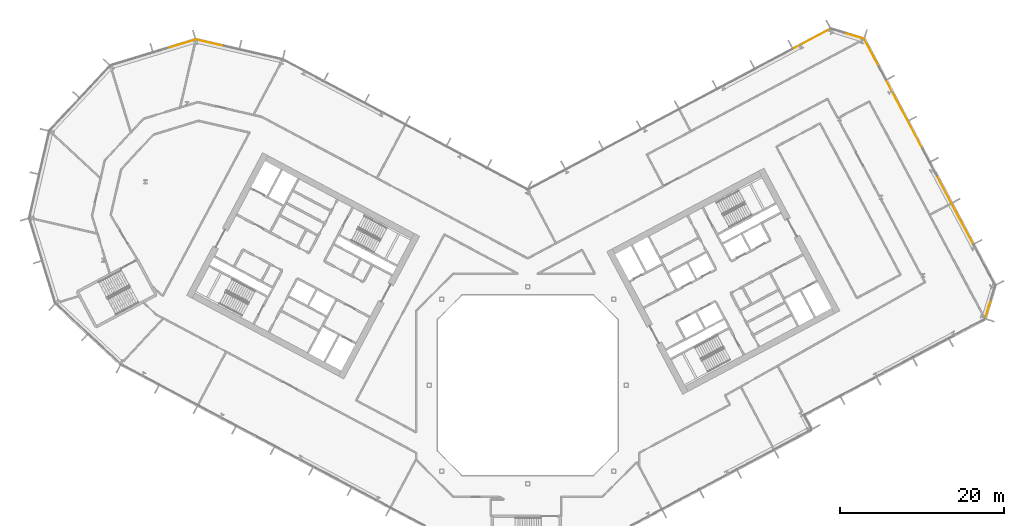
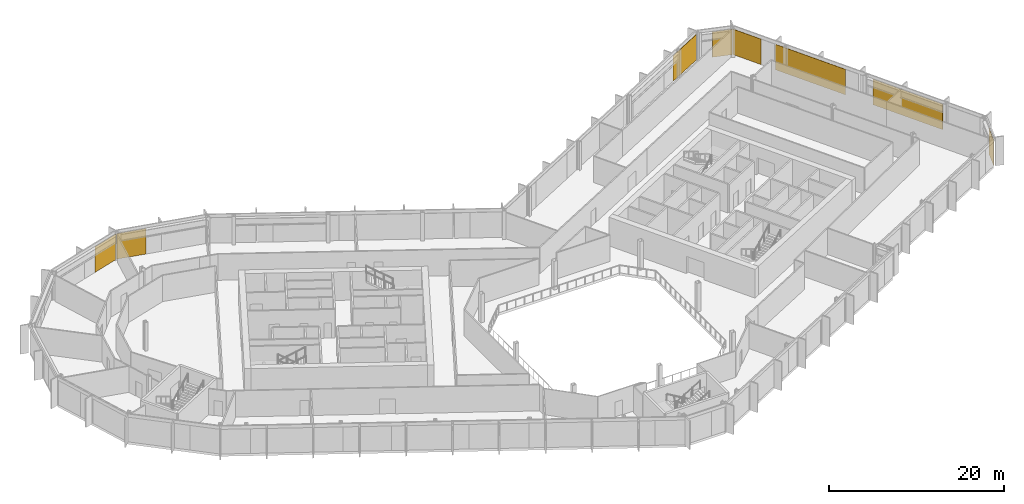
# One storey, part 28 of 28: 8 coverings, 6 elements without a shape of their own.
"""IFC4 building model written with IfcOpenShell, lengths in metres."""

from ifc_helpers import new_model, si_unit, direction, frame, origin, origin_2d, place, context, subcontext, project, spatial, rectangle, extrude, material, layer, layer_set, type_object, element, aggregate, save


model = new_model("IFC4")

# Units and contexts
model_context = context("Model", 3, precision=1e-05, world=origin(), true_north=direction((0.0, 1.0)))
body_context = subcontext(model_context, "Body", "Model", "MODEL_VIEW")
ifc_project = project(units=[si_unit("LENGTHUNIT", "METRE"), si_unit("AREAUNIT", "SQUARE_METRE"), si_unit("VOLUMEUNIT", "CUBIC_METRE"), si_unit("PLANEANGLEUNIT", "RADIAN"), si_unit("MASSUNIT", "GRAM", prefix="KILO")], contexts=[model_context])

# Site, building, storey
site_placement = place(None, origin())
site = spatial("IfcSite", under=ifc_project, at=site_placement, CompositionType="ELEMENT")
building_placement = place(site_placement, origin())
building = spatial("IfcBuilding", under=site, at=building_placement, Name="Cormorant Relay Tower", CompositionType="ELEMENT")
storey_placement = place(building_placement, frame((0.0, 0.0, 150.199951171875)))
storey = spatial("IfcBuildingStorey", under=building, at=storey_placement, Name="L31", CompositionType="ELEMENT", Elevation=150.199951171875)

# Curtain wall, covering
ifc_material_1 = material(Name="Aluminium 6063-T6 anodised bronze", Category="aluminium")
ifc_layer_1 = layer(ifc_material_1, 0.199951171875)
ifc_layer_set_1 = layer_set([ifc_layer_1], Name="CW1 unitised bronze curtain wall with vertical fins")
curtain_wall_type = type_object("IfcCurtainWallType", Name="CW1 unitised bronze curtain wall with vertical fins", PredefinedType="NOTDEFINED", material=ifc_layer_set_1)
curtain_wall_1_placement = place(storey_placement, origin())
curtain_wall_1 = element("IfcCurtainWall", 1, at=curtain_wall_1_placement, inside=storey, type_object=curtain_wall_type, Name="CW1 curtain wall 5", PredefinedType="NOTDEFINED")
ifc_material_2 = material(Name="Pale bronze anodised aluminium insulated panel", Category="aluminium")
ifc_layer_2 = layer(ifc_material_2, 0.0400390625)
ifc_layer_set_2 = layer_set([ifc_layer_2], Name="CW1 pale bronze insulated panel 40")
covering_type = type_object("IfcCoveringType", Name="CW1 pale bronze insulated panel 40", PredefinedType="CLADDING", material=ifc_layer_set_2)
covering_1_placement = place(storey_placement, frame((56.103515625, 9.303955078125, 0.0), z_axis=(0.0, 0.0, 1.0), x_axis=(0.292371704723, 0.956304755963, 0.0)))
covering_1 = element("IfcCovering", 2, at=covering_1_placement, type_object=covering_type, Name="CW1 panel S00", PredefinedType="CLADDING", context=body_context, shape_type="SweptSolid", body=[
    extrude(rectangle(XDim=2.36767578125, YDim=0.0400390625, at=origin_2d()), origin(), (0.0, 0.0, 1.0), 3.550048828125),
])
aggregate(curtain_wall_1, [covering_1])

# Curtain wall, coverings
curtain_wall_2_placement = place(storey_placement, origin())
curtain_wall_2 = element("IfcCurtainWall", 3, at=curtain_wall_2_placement, inside=storey, type_object=curtain_wall_type, Name="CW1 curtain wall 6", PredefinedType="NOTDEFINED")
covering_2_placement = place(storey_placement, frame((52.076171875, 21.384765625, 0.0), z_axis=(0.0, 0.0, 1.0), x_axis=(-0.469471562786, 0.882947592859, 0.0)))
covering_2 = element("IfcCovering", 4, at=covering_2_placement, type_object=covering_type, Name="CW1 panel S01", PredefinedType="CLADDING", context=body_context, shape_type="SweptSolid", body=[
    extrude(rectangle(XDim=9.38330078125, YDim=0.0400390625, at=origin_2d()), origin(), (0.0, 0.0, 1.0), 3.550048828125),
])
covering_3_placement = place(storey_placement, frame((45.910400390625, 32.980712890625, 0.0), z_axis=(0.0, 0.0, 1.0), x_axis=(-0.469471562786, 0.882947592859, 0.0)))
covering_3 = element("IfcCovering", 5, at=covering_3_placement, type_object=covering_type, Name="CW1 panel S04", PredefinedType="CLADDING", context=body_context, shape_type="SweptSolid", body=[
    extrude(rectangle(XDim=9.38330078125, YDim=0.0400390625, at=origin_2d()), origin(), (0.0, 0.0, 1.0), 3.550048828125),
])
covering_4_placement = place(storey_placement, frame((41.90234375, 40.518798828125, 0.0), z_axis=(0.0, 0.0, 1.0), x_axis=(-0.469471562786, 0.882947592859, 0.0)))
covering_4 = element("IfcCovering", 6, at=covering_4_placement, type_object=covering_type, Name="CW1 panel S06", PredefinedType="CLADDING", context=body_context, shape_type="SweptSolid", body=[
    extrude(rectangle(XDim=3.791748046875, YDim=0.0400390625, at=origin_2d()), origin(), (0.0, 0.0, 1.0), 3.550048828125),
])
aggregate(curtain_wall_2, [covering_2, covering_3, covering_4])

# Curtain wall, covering
curtain_wall_3_placement = place(storey_placement, origin())
curtain_wall_3 = element("IfcCurtainWall", 7, at=curtain_wall_3_placement, inside=storey, type_object=curtain_wall_type, Name="CW1 curtain wall 7", PredefinedType="NOTDEFINED")
covering_5_placement = place(storey_placement, frame((39.796630859375, 42.570556640625, 0.0), z_axis=(0.0, 0.0, 1.0), x_axis=(-0.956304755963, 0.292371704723, 0.0)))
covering_5 = element("IfcCovering", 8, at=covering_5_placement, type_object=covering_type, Name="CW1 panel S00", PredefinedType="CLADDING", context=body_context, shape_type="SweptSolid", body=[
    extrude(rectangle(XDim=2.36767578125, YDim=0.0400390625, at=origin_2d()), origin(), (0.0, 0.0, 1.0), 3.550048828125),
])
aggregate(curtain_wall_3, [covering_5])

curtain_wall_4_placement = place(storey_placement, origin())
curtain_wall_4 = element("IfcCurtainWall", 9, at=curtain_wall_4_placement, inside=storey, type_object=curtain_wall_type, Name="CW1 curtain wall 8", PredefinedType="NOTDEFINED")
covering_6_placement = place(storey_placement, frame((34.619384765625, 42.214111328125, 0.0), z_axis=(0.0, 0.0, 1.0), x_axis=(-0.882947592859, -0.469471562786, 0.0)))
covering_6 = element("IfcCovering", 10, at=covering_6_placement, type_object=covering_type, Name="CW1 panel S00", PredefinedType="CLADDING", context=body_context, shape_type="SweptSolid", body=[
    extrude(rectangle(XDim=5.079345703125, YDim=0.0400390625, at=origin_2d()), origin(), (0.0, 0.0, 1.0), 3.550048828125),
])
aggregate(curtain_wall_4, [covering_6])

curtain_wall_5_placement = place(storey_placement, origin())
curtain_wall_5 = element("IfcCurtainWall", 11, at=curtain_wall_5_placement, inside=storey, type_object=curtain_wall_type, Name="CW1 curtain wall 10", PredefinedType="NOTDEFINED")
covering_7_placement = place(storey_placement, frame((-38.7265625, 41.732421875, 0.0), z_axis=(0.0, 0.0, 1.0), x_axis=(-0.974370064785, 0.224951054344, 0.0)))
covering_7 = element("IfcCovering", 12, at=covering_7_placement, type_object=covering_type, Name="CW1 panel S02", PredefinedType="CLADDING", context=body_context, shape_type="SweptSolid", body=[
    extrude(rectangle(XDim=3.560302734375, YDim=0.0400390625, at=origin_2d()), origin(), (0.0, 0.0, 1.0), 3.550048828125),
])
aggregate(curtain_wall_5, [covering_7])

curtain_wall_6_placement = place(storey_placement, origin())
curtain_wall_6 = element("IfcCurtainWall", 13, at=curtain_wall_6_placement, inside=storey, type_object=curtain_wall_type, Name="CW1 curtain wall 11", PredefinedType="NOTDEFINED")
covering_8_placement = place(storey_placement, frame((-42.209716796875, 41.60107421875, 0.0), z_axis=(0.0, 0.0, 1.0), x_axis=(-0.956304755963, -0.292371704723, 0.0)))
covering_8 = element("IfcCovering", 14, at=covering_8_placement, type_object=covering_type, Name="CW1 panel S00", PredefinedType="CLADDING", context=body_context, shape_type="SweptSolid", body=[
    extrude(rectangle(XDim=3.485107421875, YDim=0.0400390625, at=origin_2d()), origin(), (0.0, 0.0, 1.0), 3.550048828125),
])
aggregate(curtain_wall_6, [covering_8])

save(model, "model.ifc")
